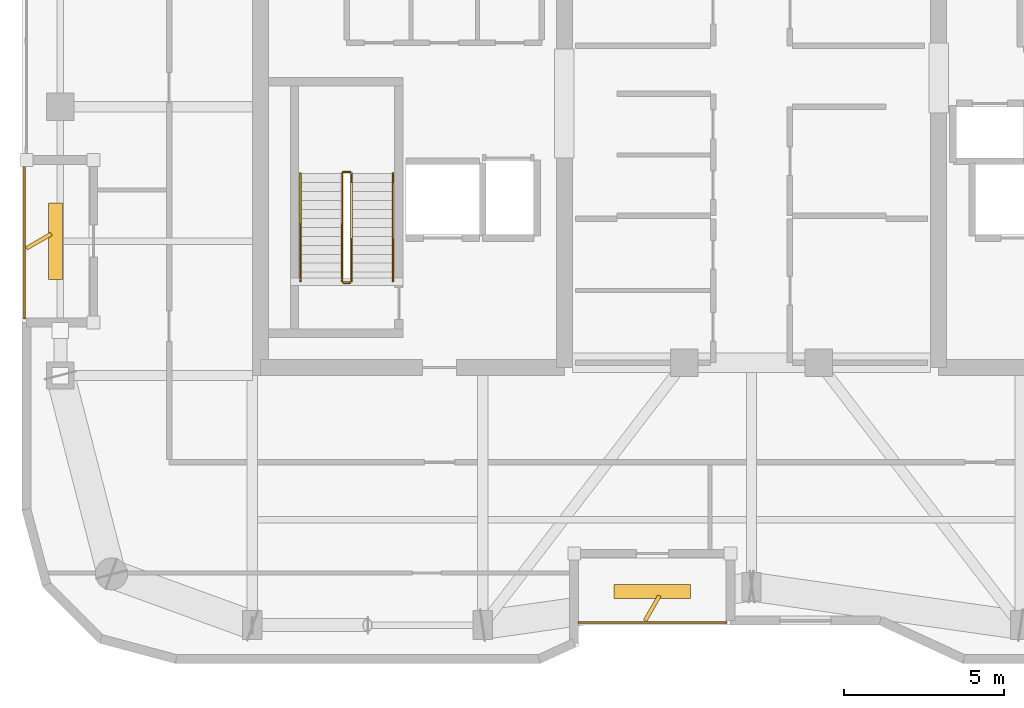
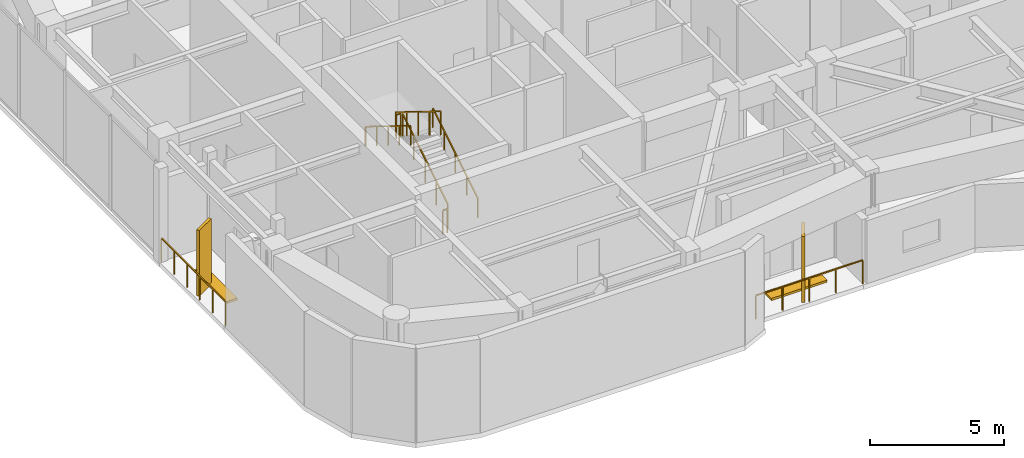
# One storey, part 14 of 15: 8 railings, 4 shading devices.
"""IFC4 building model written with IfcOpenShell, lengths in metres."""

from ifc_helpers import new_model, si_unit, direction, frame, origin, origin_2d, place, context, subcontext, project, spatial, rectangle, extrude, material, type_object, element, save


model = new_model("IFC4")

# Units and contexts
model_context = context("Model", 3, precision=1e-05, world=origin(), true_north=direction((0.0, 1.0)))
body_context = subcontext(model_context, "Body", "Model", "MODEL_VIEW")
ifc_project = project(units=[si_unit("LENGTHUNIT", "METRE"), si_unit("AREAUNIT", "SQUARE_METRE"), si_unit("VOLUMEUNIT", "CUBIC_METRE"), si_unit("PLANEANGLEUNIT", "RADIAN"), si_unit("MASSUNIT", "GRAM", prefix="KILO")], contexts=[model_context])

# Site, building, storey
site_placement = place(None, origin())
site = spatial("IfcSite", under=ifc_project, at=site_placement, CompositionType="ELEMENT")
building_placement = place(site_placement, origin())
building = spatial("IfcBuilding", under=site, at=building_placement, Name="Kiyonajd Concourse Tower", CompositionType="ELEMENT")
storey_placement = place(building_placement, frame((0.0, 0.0, 342.0)))
storey = spatial("IfcBuildingStorey", under=building, at=storey_placement, Name="L86", CompositionType="ELEMENT", Elevation=342.0)

# Railings
ifc_material_1 = material(Name="Thermally Broken Anodised Aluminium", Category="aluminium")
railing_type_1 = type_object("IfcRailingType", Name="RL-GRD-LOG", PredefinedType="GUARDRAIL", material=ifc_material_1)
railing_1_placement = place(storey_placement, frame((42.60009765625, 19.8798828125, 0.0)))
element("IfcRailing", 1, at=railing_1_placement, inside=storey, type_object=railing_type_1, Name="L86 Engawa Loggia Perimeter Guard LOG-S", PredefinedType="GUARDRAIL", context=body_context, shape_type="SweptSolid", body=[
    extrude(rectangle(XDim=0.048095703125, YDim=0.048095703125, at=origin_2d()), frame((0.0, 0.0, 1.076171875), z_axis=(1.0, 0.0, 0.0), x_axis=(0.0, 1.0, 0.0)), (0.0, 0.0, 1.0), 4.599853515625),
    extrude(rectangle(XDim=0.0419921875, YDim=0.0419921875, at=origin_2d()), origin(), (0.0, 0.0, 1.0), 1.052001953125),
    extrude(rectangle(XDim=0.0419921875, YDim=0.0419921875, at=origin_2d()), frame((1.14990234375, 0.0, 0.0)), (0.0, 0.0, 1.0), 1.052001953125),
    extrude(rectangle(XDim=0.0419921875, YDim=0.0419921875, at=origin_2d()), frame((2.2998046875, 0.0, 0.0)), (0.0, 0.0, 1.0), 1.052001953125),
    extrude(rectangle(XDim=0.0419921875, YDim=0.0419921875, at=origin_2d()), frame((3.449951171875, 0.0, 0.0)), (0.0, 0.0, 1.0), 1.052001953125),
    extrude(rectangle(XDim=0.0419921875, YDim=0.0419921875, at=origin_2d()), frame((4.599853515625, 0.0, 0.0)), (0.0, 0.0, 1.0), 1.052001953125),
])
railing_2_placement = place(storey_placement, frame((25.280029296875, 34.199951171875, 0.0)))
element("IfcRailing", 2, at=railing_2_placement, inside=storey, type_object=railing_type_1, Name="L86 Engawa Loggia Perimeter Guard LOG-W", PredefinedType="GUARDRAIL", context=body_context, shape_type="SweptSolid", body=[
    extrude(rectangle(XDim=0.048095703125, YDim=0.048095703125, at=origin_2d()), frame((0.0, 0.0, 1.076171875), z_axis=(0.0, -1.0, 0.0), x_axis=(1.0, 0.0, 0.0)), (0.0, 0.0, 1.0), 4.800048828125),
    extrude(rectangle(XDim=0.0419921875, YDim=0.0419921875, at=origin_2d()), origin(), (0.0, 0.0, 1.0), 1.052001953125),
    extrude(rectangle(XDim=0.0419921875, YDim=0.0419921875, at=origin_2d()), frame((0.0, -0.9599609375, 0.0)), (0.0, 0.0, 1.0), 1.052001953125),
    extrude(rectangle(XDim=0.0419921875, YDim=0.0419921875, at=origin_2d()), frame((0.0, -1.919921875, 0.0)), (0.0, 0.0, 1.0), 1.052001953125),
    extrude(rectangle(XDim=0.0419921875, YDim=0.0419921875, at=origin_2d()), frame((0.0, -2.880126953125, 0.0)), (0.0, 0.0, 1.0), 1.052001953125),
    extrude(rectangle(XDim=0.0419921875, YDim=0.0419921875, at=origin_2d()), frame((0.0, -3.840087890625, 0.0)), (0.0, 0.0, 1.0), 1.052001953125),
    extrude(rectangle(XDim=0.0419921875, YDim=0.0419921875, at=origin_2d()), frame((0.0, -4.800048828125, 0.0)), (0.0, 0.0, 1.0), 1.052001953125),
])
ifc_material_2 = material(Name="Steel ASTM A500 Grade C", Category="steel")
railing_type_2 = type_object("IfcRailingType", Name="RL-GRD-STR", PredefinedType="GUARDRAIL", material=ifc_material_2)
railing_3_placement = place(storey_placement, frame((35.5, 30.550048828125, 0.173095703125)))
element("IfcRailing", 3, at=railing_3_placement, inside=storey, type_object=railing_type_2, Name="L86 ST1 stair guard 1", PredefinedType="GUARDRAIL", context=body_context, shape_type="SweptSolid", body=[
    extrude(rectangle(XDim=0.048095703125, YDim=0.048095703125, at=origin_2d()), frame((0.0, 0.0, 1.076171875), z_axis=(0.0, 0.850606129759, 0.525803396734), x_axis=(-1.0, 0.0, 0.0)), (0.0, 0.0, 1.0), 3.949951171875),
    extrude(rectangle(XDim=0.0419921875, YDim=0.0419921875, at=origin_2d()), origin(), (0.0, 0.0, 1.0), 1.052001953125),
    extrude(rectangle(XDim=0.0419921875, YDim=0.0419921875, at=origin_2d()), frame((0.0, 0.83984375, 0.519287109375)), (0.0, 0.0, 1.0), 1.052001953125),
    extrude(rectangle(XDim=0.0419921875, YDim=0.0419921875, at=origin_2d()), frame((0.0, 1.679931640625, 1.03857421875)), (0.0, 0.0, 1.0), 1.052001953125),
    extrude(rectangle(XDim=0.0419921875, YDim=0.0419921875, at=origin_2d()), frame((0.0, 2.52001953125, 1.5576171875)), (0.0, 0.0, 1.0), 1.052001953125),
    extrude(rectangle(XDim=0.0419921875, YDim=0.0419921875, at=origin_2d()), frame((0.0, 3.35986328125, 2.076904296875)), (0.0, 0.0, 1.0), 1.052001953125),
])
railing_4_placement = place(storey_placement, frame((35.449951171875, 33.9599609375, 2.25)))
element("IfcRailing", 4, at=railing_4_placement, inside=storey, type_object=railing_type_2, Name="L86 ST1 stair guard 2", PredefinedType="GUARDRAIL", context=body_context, shape_type="SweptSolid", body=[
    extrude(rectangle(XDim=0.048095703125, YDim=0.048095703125, at=origin_2d()), frame((0.0, 0.0, 1.076171875), z_axis=(-1.0, 0.0, 0.0), x_axis=(0.0, -1.0, 0.0)), (0.0, 0.0, 1.0), 0.199951171875),
    extrude(rectangle(XDim=0.0419921875, YDim=0.0419921875, at=origin_2d()), origin(), (0.0, 0.0, 1.0), 1.052001953125),
    extrude(rectangle(XDim=0.0419921875, YDim=0.0419921875, at=origin_2d()), frame((-0.199951171875, 0.0, 0.0)), (0.0, 0.0, 1.0), 1.052001953125),
])
railing_5_placement = place(storey_placement, frame((35.199951171875, 33.909912109375, 2.423095703125)))
element("IfcRailing", 5, at=railing_5_placement, inside=storey, type_object=railing_type_2, Name="L86 ST1 stair guard 3", PredefinedType="GUARDRAIL", context=body_context, shape_type="SweptSolid", body=[
    extrude(rectangle(XDim=0.048095703125, YDim=0.048095703125, at=origin_2d()), frame((0.0, 0.0, 1.076171875), z_axis=(0.0, -0.850606129759, 0.525803396734), x_axis=(1.0, 0.0, 0.0)), (0.0, 0.0, 1.0), 3.949951171875),
    extrude(rectangle(XDim=0.0419921875, YDim=0.0419921875, at=origin_2d()), origin(), (0.0, 0.0, 1.0), 1.052001953125),
    extrude(rectangle(XDim=0.0419921875, YDim=0.0419921875, at=origin_2d()), frame((0.0, -0.83984375, 0.519287109375)), (0.0, 0.0, 1.0), 1.052001953125),
    extrude(rectangle(XDim=0.0419921875, YDim=0.0419921875, at=origin_2d()), frame((0.0, -1.679931640625, 1.03857421875)), (0.0, 0.0, 1.0), 1.052001953125),
    extrude(rectangle(XDim=0.0419921875, YDim=0.0419921875, at=origin_2d()), frame((0.0, -2.52001953125, 1.5576171875)), (0.0, 0.0, 1.0), 1.052001953125),
    extrude(rectangle(XDim=0.0419921875, YDim=0.0419921875, at=origin_2d()), frame((0.0, -3.35986328125, 2.076904296875)), (0.0, 0.0, 1.0), 1.052001953125),
])
railing_6_placement = place(storey_placement, frame((35.449951171875, 30.5, 0.0)))
element("IfcRailing", 6, at=railing_6_placement, inside=storey, type_object=railing_type_2, Name="L86 ST1 stair guard 4", PredefinedType="GUARDRAIL", context=body_context, shape_type="SweptSolid", body=[
    extrude(rectangle(XDim=0.048095703125, YDim=0.048095703125, at=origin_2d()), frame((0.0, 0.0, 1.076171875), z_axis=(-1.0, 0.0, 0.0), x_axis=(0.0, -1.0, 0.0)), (0.0, 0.0, 1.0), 0.199951171875),
    extrude(rectangle(XDim=0.0419921875, YDim=0.0419921875, at=origin_2d()), origin(), (0.0, 0.0, 1.0), 1.052001953125),
    extrude(rectangle(XDim=0.0419921875, YDim=0.0419921875, at=origin_2d()), frame((-0.199951171875, 0.0, 0.0)), (0.0, 0.0, 1.0), 1.052001953125),
])
ifc_material_3 = material(Name="Brushed Stainless Steel Cab Assembly", Category="steel")
railing_type_3 = type_object("IfcRailingType", Name="RL-HND-900", PredefinedType="HANDRAIL", material=ifc_material_3)
railing_7_placement = place(storey_placement, frame((36.800048828125, 30.550048828125, 0.173095703125)))
element("IfcRailing", 7, at=railing_7_placement, inside=storey, type_object=railing_type_3, Name="L86 ST1 stair handrail 1", PredefinedType="HANDRAIL", context=body_context, shape_type="SweptSolid", body=[
    extrude(rectangle(XDim=0.048095703125, YDim=0.048095703125, at=origin_2d()), frame((0.0, 0.0, 0.8759765625), z_axis=(0.0, 0.850606129759, 0.525803396734), x_axis=(-1.0, 0.0, 0.0)), (0.0, 0.0, 1.0), 3.949951171875),
    extrude(rectangle(XDim=0.0419921875, YDim=0.0419921875, at=origin_2d()), origin(), (0.0, 0.0, 1.0), 0.851806640625),
    extrude(rectangle(XDim=0.0419921875, YDim=0.0419921875, at=origin_2d()), frame((0.0, 0.83984375, 0.519287109375)), (0.0, 0.0, 1.0), 0.851806640625),
    extrude(rectangle(XDim=0.0419921875, YDim=0.0419921875, at=origin_2d()), frame((0.0, 1.679931640625, 1.03857421875)), (0.0, 0.0, 1.0), 0.851806640625),
    extrude(rectangle(XDim=0.0419921875, YDim=0.0419921875, at=origin_2d()), frame((0.0, 2.52001953125, 1.5576171875)), (0.0, 0.0, 1.0), 0.851806640625),
    extrude(rectangle(XDim=0.0419921875, YDim=0.0419921875, at=origin_2d()), frame((0.0, 3.35986328125, 2.076904296875)), (0.0, 0.0, 1.0), 0.851806640625),
])
railing_8_placement = place(storey_placement, frame((33.89990234375, 33.909912109375, 2.423095703125)))
element("IfcRailing", 8, at=railing_8_placement, inside=storey, type_object=railing_type_3, Name="L86 ST1 stair handrail 2", PredefinedType="HANDRAIL", context=body_context, shape_type="SweptSolid", body=[
    extrude(rectangle(XDim=0.048095703125, YDim=0.048095703125, at=origin_2d()), frame((0.0, 0.0, 0.8759765625), z_axis=(0.0, -0.850606129759, 0.525803396734), x_axis=(1.0, 0.0, 0.0)), (0.0, 0.0, 1.0), 3.949951171875),
    extrude(rectangle(XDim=0.0419921875, YDim=0.0419921875, at=origin_2d()), origin(), (0.0, 0.0, 1.0), 0.851806640625),
    extrude(rectangle(XDim=0.0419921875, YDim=0.0419921875, at=origin_2d()), frame((0.0, -0.83984375, 0.519287109375)), (0.0, 0.0, 1.0), 0.851806640625),
    extrude(rectangle(XDim=0.0419921875, YDim=0.0419921875, at=origin_2d()), frame((0.0, -1.679931640625, 1.03857421875)), (0.0, 0.0, 1.0), 0.851806640625),
    extrude(rectangle(XDim=0.0419921875, YDim=0.0419921875, at=origin_2d()), frame((0.0, -2.52001953125, 1.5576171875)), (0.0, 0.0, 1.0), 0.851806640625),
    extrude(rectangle(XDim=0.0419921875, YDim=0.0419921875, at=origin_2d()), frame((0.0, -3.35986328125, 2.076904296875)), (0.0, 0.0, 1.0), 0.851806640625),
])

# Shading devices
ifc_material_4 = material(Name="Precast concrete C50/60", Category="concrete")
shading_device_type_1 = type_object("IfcShadingDeviceType", Name="SH-FIN-900", PredefinedType="USERDEFINED", material=ifc_material_4)
for number, where, z_axis, x_axis, name in (
    (9, (44.89990234375, 20.330078125, 0.0), (0.0, 0.0, 1.0), (0.5, 0.866025403784, 0.0), "L86 Angled Koshi Solar Fin LOG-S"),
    (10, (25.72998046875, 31.800048828125, 0.0), (0.0, 0.0, 1.0), (0.866025403784, 0.5, 0.0), "L86 Angled Koshi Solar Fin LOG-W"),
):
    element("IfcShadingDevice", number, at=place(storey_placement, frame(where, z_axis=z_axis, x_axis=x_axis)), inside=storey, type_object=shading_device_type_1, Name=name, ObjectType="FIN", PredefinedType="USERDEFINED", context=body_context, shape_type="SweptSolid", body=[
        extrude(rectangle(XDim=0.89990234375, YDim=0.1201171875, at=origin_2d()), origin(), (0.0, 0.0, 1.0), 3.0),
    ])
shading_device_type_2 = type_object("IfcShadingDeviceType", Name="SH-LVR-600", PredefinedType="JALOUSIE", material=ifc_material_1)
for number, where, z_axis, x_axis, name in (
    (11, (44.89990234375, 20.85009765625, 0.0), (0.0, 0.0, 1.0), (1.0, 0.0, 0.0), "L86 Loggia Threshold Louver LOG-S"),
    (12, (26.25, 31.800048828125, 0.0), (0.0, 0.0, 1.0), (0.0, 1.0, 0.0), "L86 Loggia Threshold Louver LOG-W"),
):
    element("IfcShadingDevice", number, at=place(storey_placement, frame(where, z_axis=z_axis, x_axis=x_axis)), inside=storey, type_object=shading_device_type_2, Name=name, PredefinedType="JALOUSIE", context=body_context, shape_type="SweptSolid", body=[
        extrude(rectangle(XDim=2.39990234375, YDim=0.449951171875, at=origin_2d()), origin(), (0.0, 0.0, 1.0), 0.10009765625),
    ])

save(model, "model.ifc")
